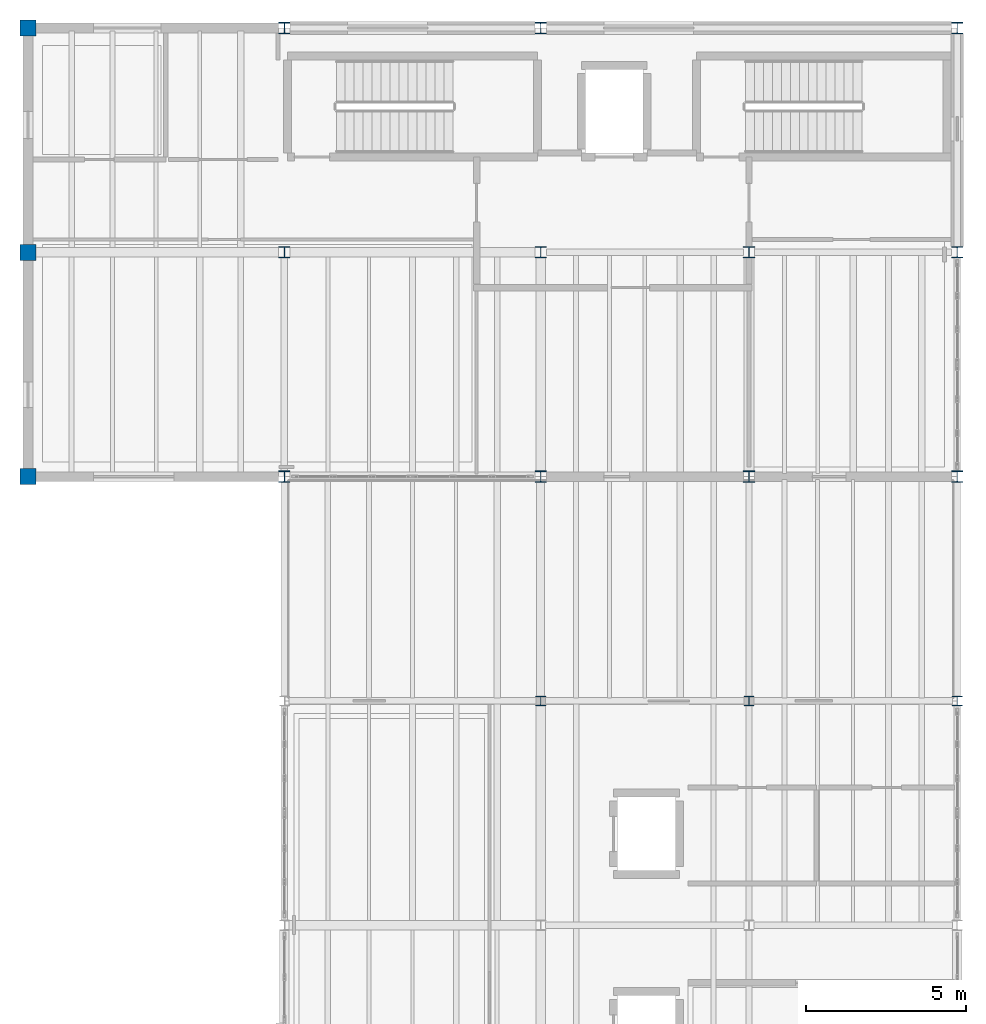
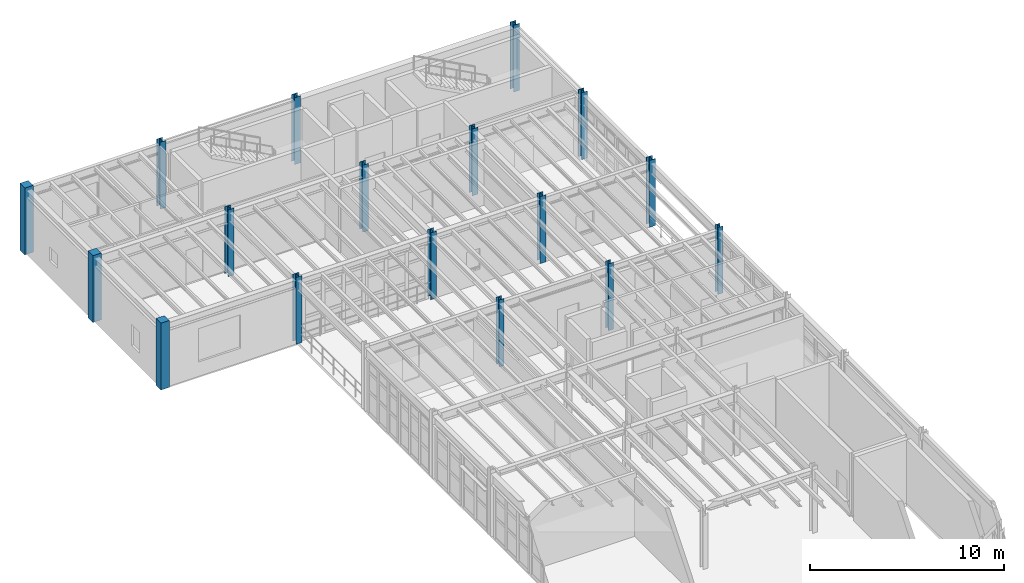
# One storey, part 2 of 27: 17 columns.
"""IFC4 building model written with IfcOpenShell, lengths in metres."""

from ifc_helpers import new_model, si_unit, direction, frame, origin, origin_2d, place, context, subcontext, project, spatial, rectangle, i_section, extrude, material, material_profile, profile_set, type_object, element, save


model = new_model("IFC4")

# Units and contexts
model_context = context("Model", 3, precision=1e-05, world=origin(), true_north=direction((0.0, 1.0)))
body_context = subcontext(model_context, "Body", "Model", "MODEL_VIEW")
ifc_project = project(units=[si_unit("LENGTHUNIT", "METRE"), si_unit("AREAUNIT", "SQUARE_METRE"), si_unit("VOLUMEUNIT", "CUBIC_METRE"), si_unit("PLANEANGLEUNIT", "RADIAN"), si_unit("MASSUNIT", "GRAM", prefix="KILO"), si_unit("THERMODYNAMICTEMPERATUREUNIT", "KELVIN"), si_unit("POWERUNIT", "WATT")], contexts=[model_context])

# Site, building, storey
site_placement = place(None, origin())
site = spatial("IfcSite", under=ifc_project, at=site_placement, CompositionType="ELEMENT")
building_placement = place(site_placement, origin())
building = spatial("IfcBuilding", under=site, at=building_placement, Name="Zhenchuan Central Fire Station", CompositionType="ELEMENT")
storey_placement = place(building_placement, frame((0.0, 0.0, 14.25)))
storey = spatial("IfcBuildingStorey", under=building, at=storey_placement, Name="L04", CompositionType="ELEMENT", Elevation=14.25)

# Columns
ifc_material_1 = material(Name="Steel Q355B", Category="steel")
ifc_material_profile_1 = material_profile(ifc_material_1, i_section(OverallWidth=0.300048828125, OverallDepth=0.300048828125, WebThickness=0.010009765625, FlangeThickness=0.014892578125, FilletRadius=0.01806640625, at=origin_2d()), Name="HW 300x300")
ifc_profile_set_1 = profile_set([ifc_material_profile_1], Name="Steel Q355B")
column_type_1 = type_object("IfcColumnType", Name="COL-HW300", PredefinedType="COLUMN", material=ifc_profile_set_1)
column_1_placement = place(storey_placement, frame((161.0, 35.5, 0.0), z_axis=(0.0, 0.0, 1.0), x_axis=(1.0, 0.0, 0.0)))
element("IfcColumn", 1, at=column_1_placement, inside=storey, type_object=column_type_1, Name="L04 Column 035", PredefinedType="COLUMN", context=body_context, shape_type="SweptSolid", body=[
    extrude(i_section(OverallWidth=0.300048828125, OverallDepth=0.300048828125, WebThickness=0.010009765625, FlangeThickness=0.014892578125, FilletRadius=0.01806640625, at=origin_2d()), origin(), (0.0, 0.0, 1.0), 4.199951171875),
])
ifc_material_profile_2 = material_profile(ifc_material_1, i_section(OverallWidth=0.300048828125, OverallDepth=0.300048828125, WebThickness=0.010009765625, FlangeThickness=0.014892578125, FilletRadius=0.01806640625, at=origin_2d()), Name="HW 300x300")
ifc_profile_set_2 = profile_set([ifc_material_profile_2], Name="Steel Q355B")
column_type_2 = type_object("IfcColumnType", Name="COL-HW300-INT", PredefinedType="COLUMN", material=ifc_profile_set_2)
for number, where, z_axis, x_axis, name in (
    (2, (148.0, 35.5, 0.0), (0.0, 0.0, 1.0), (1.0, 0.0, 0.0), "L04 Column 018"),
    (3, (154.5, 35.5, 0.0), (0.0, 0.0, 1.0), (1.0, 0.0, 0.0), "L04 Column 027"),
):
    element("IfcColumn", number, at=place(storey_placement, frame(where, z_axis=z_axis, x_axis=x_axis)), inside=storey, type_object=column_type_2, Name=name, PredefinedType="COLUMN", context=body_context, shape_type="SweptSolid", body=[
        extrude(i_section(OverallWidth=0.300048828125, OverallDepth=0.300048828125, WebThickness=0.010009765625, FlangeThickness=0.014892578125, FilletRadius=0.01806640625, at=origin_2d()), origin(), (0.0, 0.0, 1.0), 4.199951171875),
    ])
ifc_material_profile_3 = material_profile(ifc_material_1, i_section(OverallWidth=0.35009765625, OverallDepth=0.35009765625, WebThickness=0.011962890625, FlangeThickness=0.01904296875, FilletRadius=0.02001953125, at=origin_2d()), Name="HW 350x350")
ifc_profile_set_3 = profile_set([ifc_material_profile_3], Name="Steel Q355B")
column_type_3 = type_object("IfcColumnType", Name="COL-HW350", PredefinedType="COLUMN", material=ifc_profile_set_3)
for number, where, z_axis, x_axis, name in (
    (4, (140.0, 56.5, 0.0), (0.0, 0.0, 1.0), (1.0, 0.0, 0.0), "L04 Column 012"),
    (5, (148.0, 56.5, 0.0), (0.0, 0.0, 1.0), (1.0, 0.0, 0.0), "L04 Column 021"),
    (6, (161.0, 42.5, 0.0), (0.0, 0.0, 1.0), (1.0, 0.0, 0.0), "L04 Column 036"),
    (7, (161.0, 49.5, 0.0), (0.0, 0.0, 1.0), (1.0, 0.0, 0.0), "L04 Column 037"),
    (8, (161.0, 56.5, 0.0), (0.0, 0.0, 1.0), (1.0, 0.0, 0.0), "L04 Column 038"),
):
    element("IfcColumn", number, at=place(storey_placement, frame(where, z_axis=z_axis, x_axis=x_axis)), inside=storey, type_object=column_type_3, Name=name, PredefinedType="COLUMN", context=body_context, shape_type="SweptSolid", body=[
        extrude(i_section(OverallWidth=0.35009765625, OverallDepth=0.35009765625, WebThickness=0.011962890625, FlangeThickness=0.01904296875, FilletRadius=0.02001953125, at=origin_2d()), origin(), (0.0, 0.0, 1.0), 4.199951171875),
    ])
ifc_material_profile_4 = material_profile(ifc_material_1, i_section(OverallWidth=0.35009765625, OverallDepth=0.35009765625, WebThickness=0.011962890625, FlangeThickness=0.01904296875, FilletRadius=0.02001953125, at=origin_2d()), Name="HW 350x350")
ifc_profile_set_4 = profile_set([ifc_material_profile_4], Name="Steel Q355B")
column_type_4 = type_object("IfcColumnType", Name="COL-HW350-INT", PredefinedType="COLUMN", material=ifc_profile_set_4)
for number, where, z_axis, x_axis, name in (
    (9, (140.0, 42.5, 0.0), (0.0, 0.0, 1.0), (1.0, 0.0, 0.0), "L04 Column 010"),
    (10, (140.0, 49.5, 0.0), (0.0, 0.0, 1.0), (1.0, 0.0, 0.0), "L04 Column 011"),
    (11, (148.0, 42.5, 0.0), (0.0, 0.0, 1.0), (1.0, 0.0, 0.0), "L04 Column 019"),
    (12, (148.0, 49.5, 0.0), (0.0, 0.0, 1.0), (1.0, 0.0, 0.0), "L04 Column 020"),
    (13, (154.5, 42.5, 0.0), (0.0, 0.0, 1.0), (1.0, 0.0, 0.0), "L04 Column 028"),
    (14, (154.5, 49.5, 0.0), (0.0, 0.0, 1.0), (1.0, 0.0, 0.0), "L04 Column 029"),
):
    element("IfcColumn", number, at=place(storey_placement, frame(where, z_axis=z_axis, x_axis=x_axis)), inside=storey, type_object=column_type_4, Name=name, PredefinedType="COLUMN", context=body_context, shape_type="SweptSolid", body=[
        extrude(i_section(OverallWidth=0.35009765625, OverallDepth=0.35009765625, WebThickness=0.011962890625, FlangeThickness=0.01904296875, FilletRadius=0.02001953125, at=origin_2d()), origin(), (0.0, 0.0, 1.0), 4.199951171875),
    ])
ifc_material_2 = material(Name="Concrete C40/50", Category="concrete")
ifc_material_profile_5 = material_profile(ifc_material_2, rectangle(XDim=0.5, YDim=0.5, at=origin_2d()), Name="RC 500x500")
ifc_profile_set_5 = profile_set([ifc_material_profile_5], Name="Concrete C40/50")
column_type_5 = type_object("IfcColumnType", Name="COL-RC500", PredefinedType="COLUMN", material=ifc_profile_set_5)
for number, where, z_axis, x_axis, name in (
    (15, (132.0, 42.5, 0.0), (0.0, 0.0, 1.0), (1.0, 0.0, 0.0), "L04 Column 001"),
    (16, (132.0, 49.5, 0.0), (0.0, 0.0, 1.0), (1.0, 0.0, 0.0), "L04 Column 002"),
):
    element("IfcColumn", number, at=place(storey_placement, frame(where, z_axis=z_axis, x_axis=x_axis)), inside=storey, type_object=column_type_5, Name=name, PredefinedType="COLUMN", context=body_context, shape_type="SweptSolid", body=[
        extrude(rectangle(XDim=0.5, YDim=0.5, at=origin_2d()), origin(), (0.0, 0.0, 1.0), 4.199951171875),
    ])
ifc_material_profile_6 = material_profile(ifc_material_2, rectangle(XDim=0.5, YDim=0.5, at=origin_2d()), Name="RC 500x500")
ifc_profile_set_6 = profile_set([ifc_material_profile_6], Name="Concrete C40/50")
column_type_6 = type_object("IfcColumnType", Name="COL-RC500-EXT", PredefinedType="COLUMN", material=ifc_profile_set_6)
column_2_placement = place(storey_placement, frame((132.0, 56.5, 0.0), z_axis=(0.0, 0.0, 1.0), x_axis=(1.0, 0.0, 0.0)))
element("IfcColumn", 17, at=column_2_placement, inside=storey, type_object=column_type_6, Name="L04 Column 003", PredefinedType="COLUMN", context=body_context, shape_type="SweptSolid", body=[
    extrude(rectangle(XDim=0.5, YDim=0.5, at=origin_2d()), origin(), (0.0, 0.0, 1.0), 4.199951171875),
])

save(model, "model.ifc")
